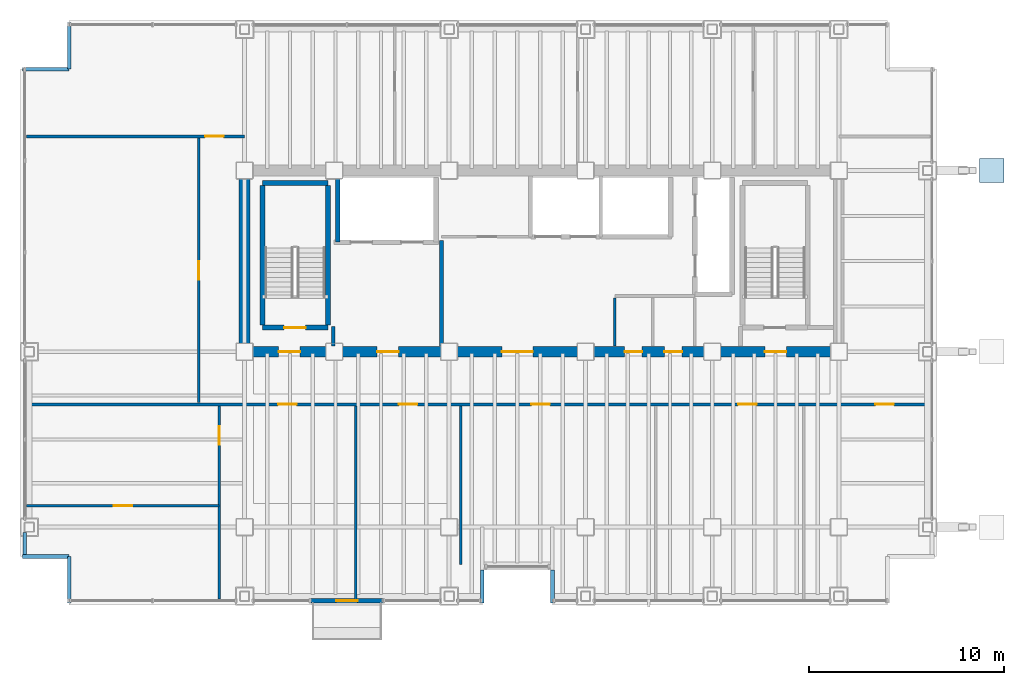
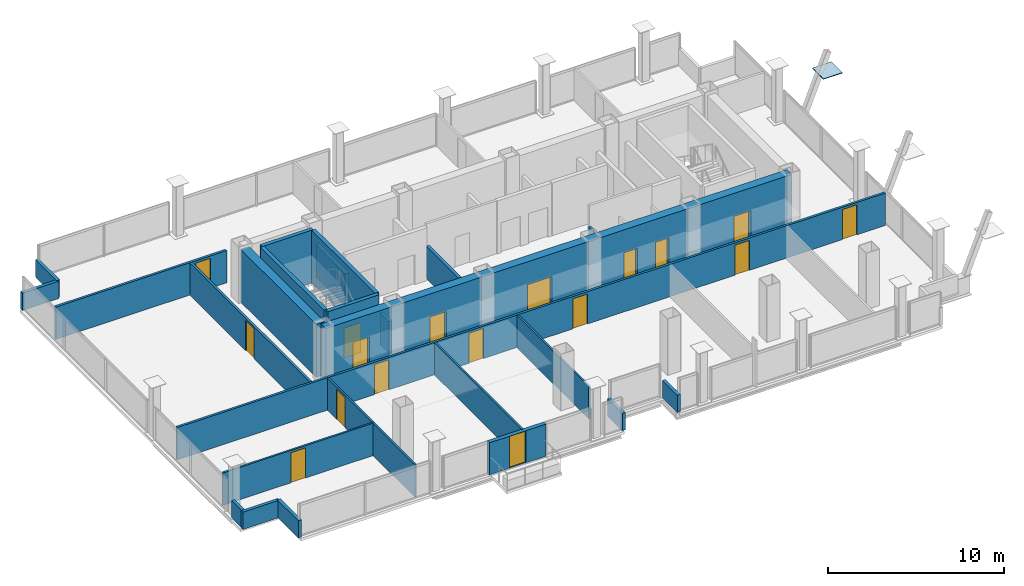
# One storey, part 16 of 19: 25 walls, 17 doors, 1 plate, 17 openings.
"""IFC4 building model written with IfcOpenShell, lengths in metres."""

from ifc_helpers import new_model, si_unit, direction, frame, frame_2d, origin, origin_2d, place, context, subcontext, project, spatial, rectangle, extrude, material, layer, layer_set, type_object, element, fill, save


model = new_model("IFC4")

# Units and contexts
model_context = context("Model", 3, precision=1e-05, world=origin(), true_north=direction((0.0, 1.0)))
body_context = subcontext(model_context, "Body", "Model", "MODEL_VIEW")
ifc_project = project(units=[si_unit("LENGTHUNIT", "METRE"), si_unit("AREAUNIT", "SQUARE_METRE"), si_unit("VOLUMEUNIT", "CUBIC_METRE"), si_unit("PLANEANGLEUNIT", "RADIAN"), si_unit("MASSUNIT", "GRAM", prefix="KILO")], contexts=[model_context])

# Site, building, storey
site_placement = place(None, origin())
site = spatial("IfcSite", under=ifc_project, at=site_placement, CompositionType="ELEMENT")
building_placement = place(site_placement, origin())
building = spatial("IfcBuilding", under=site, at=building_placement, Name="Noeulbin Bourse Tower", CompositionType="ELEMENT")
storey_placement = place(building_placement, frame((0.0, 0.0, 165.60009765625)))
storey = spatial("IfcBuildingStorey", under=building, at=storey_placement, Name="L41", CompositionType="ELEMENT", Elevation=165.60009765625)

# Plate
ifc_material_1 = material(Name="Steel S460", Category="steel")
ifc_layer_1 = layer(ifc_material_1, 0.0400390625)
ifc_layer_set_1 = layer_set([ifc_layer_1], Name="Steel S460")
plate_type = type_object("IfcPlateType", Name="PLT-KN1", PredefinedType="USERDEFINED", material=ifc_layer_set_1)
plate_placement = place(storey_placement, frame((51.85009765625, 38.300048828125, 2.259765625), z_axis=(0.0, 0.0, 1.0), x_axis=(1.0, 0.0, 0.0)))
element("IfcPlate", 1, at=plate_placement, inside=storey, type_object=plate_type, Name="Exoskeleton Kink Gusset KN1-03", ObjectType="GUSSET PLATE", PredefinedType="USERDEFINED", context=body_context, shape_type="SweptSolid", body=[
    extrude(rectangle(XDim=1.25, YDim=1.25, at=origin_2d()), origin(), (0.0, 0.0, 1.0), 0.0400390625),
])

# Wall, openings, doors
ifc_material_2 = material(Name="Concrete C60/75", Category="concrete")
ifc_layer_2 = layer(ifc_material_2, 0.550048828125)
ifc_layer_set_2 = layer_set([ifc_layer_2], Name="Concrete C60/75")
wall_type_1 = type_object("IfcWallType", Name="WAL-CORE-550", PredefinedType="SHEAR", material=ifc_layer_set_2)
wall_1_placement = place(storey_placement, frame((13.5, 29.0, 0.0), z_axis=(0.0, 0.0, 1.0), x_axis=(1.0, 0.0, 0.0)))
wall_1 = element("IfcWall", 2, at=wall_1_placement, inside=storey, type_object=wall_type_1, Name="Rear Core South Shear Wall L41", PredefinedType="SHEAR", context=body_context, shape_type="SweptSolid", body=[
    extrude(rectangle(XDim=30.5, YDim=0.550048828125, at=frame_2d((15.25, 0.0))), origin(), (0.0, 0.0, 1.0), 3.659912109375),
])
opening_1_placement = place(wall_1_placement, frame((1.75, 0.0, 0.0)))
opening_1 = element("IfcOpeningElement", 3, at=opening_1_placement, cuts=wall_1, Name="Opening FD-11", PredefinedType="OPENING", context=body_context, shape_type="SweptSolid", body=[
    extrude(rectangle(XDim=1.10009765625, YDim=2.080078125, at=frame_2d((0.550048828125, 1.0400390625))), frame((0.0, 0.284912109375, 0.0), z_axis=(0.0, -1.0, 0.0), x_axis=(1.0, 0.0, 0.0)), (0.0, 0.0, 1.0), 0.570068359375),
])
opening_2_placement = place(wall_1_placement, frame((26.699951171875, 0.0, 0.0)))
opening_2 = element("IfcOpeningElement", 4, at=opening_2_placement, cuts=wall_1, Name="Opening FD-11", PredefinedType="OPENING", context=body_context, shape_type="SweptSolid", body=[
    extrude(rectangle(XDim=1.10009765625, YDim=2.080078125, at=frame_2d((0.550048828125, 1.0400390625))), frame((0.0, 0.284912109375, 0.0), z_axis=(0.0, -1.0, 0.0), x_axis=(1.0, 0.0, 0.0)), (0.0, 0.0, 1.0), 0.570068359375),
])
opening_3_placement = place(wall_1_placement, frame((6.800048828125, 0.0, 0.0)))
opening_3 = element("IfcOpeningElement", 5, at=opening_3_placement, cuts=wall_1, Name="Opening FD-11", PredefinedType="OPENING", context=body_context, shape_type="SweptSolid", body=[
    extrude(rectangle(XDim=1.10009765625, YDim=2.080078125, at=frame_2d((0.550048828125, 1.0400390625))), frame((0.0, 0.284912109375, 0.0), z_axis=(0.0, -1.0, 0.0), x_axis=(1.0, 0.0, 0.0)), (0.0, 0.0, 1.0), 0.570068359375),
])
opening_4_placement = place(wall_1_placement, frame((13.199951171875, 0.0, 0.0)))
opening_4 = element("IfcOpeningElement", 6, at=opening_4_placement, cuts=wall_1, Name="Opening ID-16", PredefinedType="OPENING", context=body_context, shape_type="SweptSolid", body=[
    extrude(rectangle(XDim=1.60009765625, YDim=2.080078125, at=frame_2d((0.800048828125, 1.0400390625))), frame((0.0, 0.284912109375, 0.0), z_axis=(0.0, -1.0, 0.0), x_axis=(1.0, 0.0, 0.0)), (0.0, 0.0, 1.0), 0.570068359375),
])
opening_5_placement = place(wall_1_placement, frame((19.5, 0.0, 0.0)))
opening_5 = element("IfcOpeningElement", 7, at=opening_5_placement, cuts=wall_1, Name="Opening FD-09", PredefinedType="OPENING", context=body_context, shape_type="SweptSolid", body=[
    extrude(rectangle(XDim=0.89990234375, YDim=2.080078125, at=frame_2d((0.449951171875, 1.0400390625))), frame((0.0, 0.284912109375, 0.0), z_axis=(0.0, -1.0, 0.0), x_axis=(1.0, 0.0, 0.0)), (0.0, 0.0, 1.0), 0.570068359375),
])
opening_6_placement = place(wall_1_placement, frame((21.550048828125, 0.0, 0.0)))
opening_6 = element("IfcOpeningElement", 8, at=opening_6_placement, cuts=wall_1, Name="Opening FD-09", PredefinedType="OPENING", context=body_context, shape_type="SweptSolid", body=[
    extrude(rectangle(XDim=0.89990234375, YDim=2.080078125, at=frame_2d((0.449951171875, 1.0400390625))), frame((0.0, 0.284912109375, 0.0), z_axis=(0.0, -1.0, 0.0), x_axis=(1.0, 0.0, 0.0)), (0.0, 0.0, 1.0), 0.570068359375),
])
ifc_material_3 = material(Name="Acoustic Glazed Aluminium", Category="aluminium")
door_type_1 = type_object("IfcDoorType", Name="DR-DBL-1600", OperationType="DOUBLE_DOOR_SINGLE_SWING", PredefinedType="DOOR", material=ifc_material_3)
door_1_placement = place(opening_4_placement, origin())
door_1 = element("IfcDoor", 9, at=door_1_placement, inside=storey, type_object=door_type_1, Name="Passenger Lift Lobby Portal L41", OperationType="DOUBLE_DOOR_SINGLE_SWING", OverallHeight=2.080078125, OverallWidth=1.60009765625, PredefinedType="DOOR", context=body_context, shape_type="SweptSolid", body=[
    extrude(rectangle(XDim=1.60009765625, YDim=2.080078125, at=frame_2d((0.800048828125, 1.0400390625))), frame((0.0, 0.02490234375, 0.0), z_axis=(0.0, -1.0, 0.0), x_axis=(1.0, 0.0, 0.0)), (0.0, 0.0, 1.0), 0.050048828125),
])
fill(opening_4, door_1)
ifc_material_4 = material(Name="Fire-Rated Timber Core", Category="wood")
door_type_2 = type_object("IfcDoorType", Name="DR-FD30-900", OperationType="SINGLE_SWING_RIGHT", PredefinedType="DOOR", material=ifc_material_4)
door_2_placement = place(opening_5_placement, origin())
door_2 = element("IfcDoor", 10, at=door_2_placement, inside=storey, type_object=door_type_2, Name="Interior Door L41-06", OperationType="SINGLE_SWING_RIGHT", OverallHeight=2.080078125, OverallWidth=0.89990234375, PredefinedType="DOOR", context=body_context, shape_type="SweptSolid", body=[
    extrude(rectangle(XDim=0.89990234375, YDim=2.080078125, at=frame_2d((0.449951171875, 1.0400390625))), frame((0.0, 0.02490234375, 0.0), z_axis=(0.0, -1.0, 0.0), x_axis=(1.0, 0.0, 0.0)), (0.0, 0.0, 1.0), 0.050048828125),
])
fill(opening_5, door_2)
door_3_placement = place(opening_6_placement, origin())
door_3 = element("IfcDoor", 11, at=door_3_placement, inside=storey, type_object=door_type_2, Name="Interior Door L41-07", OperationType="SINGLE_SWING_LEFT", OverallHeight=2.080078125, OverallWidth=0.89990234375, PredefinedType="DOOR", context=body_context, shape_type="SweptSolid", body=[
    extrude(rectangle(XDim=0.89990234375, YDim=2.080078125, at=frame_2d((0.449951171875, 1.0400390625))), frame((0.0, 0.02490234375, 0.0), z_axis=(0.0, -1.0, 0.0), x_axis=(1.0, 0.0, 0.0)), (0.0, 0.0, 1.0), 0.050048828125),
])
fill(opening_6, door_3)
ifc_material_5 = material(Name="Fire-Rated Insulated Steel", Category="steel")
door_type_3 = type_object("IfcDoorType", Name="DR-FD60-1100", OperationType="SINGLE_SWING_LEFT", PredefinedType="DOOR", material=ifc_material_5)
door_4_placement = place(opening_1_placement, origin())
door_4 = element("IfcDoor", 12, at=door_4_placement, inside=storey, type_object=door_type_3, Name="West Stair Lobby Door L41", OperationType="SINGLE_SWING_LEFT", OverallHeight=2.080078125, OverallWidth=1.10009765625, PredefinedType="DOOR", context=body_context, shape_type="SweptSolid", body=[
    extrude(rectangle(XDim=1.10009765625, YDim=2.080078125, at=frame_2d((0.550048828125, 1.0400390625))), frame((0.0, 0.02490234375, 0.0), z_axis=(0.0, -1.0, 0.0), x_axis=(1.0, 0.0, 0.0)), (0.0, 0.0, 1.0), 0.050048828125),
])
fill(opening_1, door_4)
door_5_placement = place(opening_2_placement, origin())
door_5 = element("IfcDoor", 13, at=door_5_placement, inside=storey, type_object=door_type_3, Name="East Stair Lobby Door L41", OperationType="SINGLE_SWING_RIGHT", OverallHeight=2.080078125, OverallWidth=1.10009765625, PredefinedType="DOOR", context=body_context, shape_type="SweptSolid", body=[
    extrude(rectangle(XDim=1.10009765625, YDim=2.080078125, at=frame_2d((0.550048828125, 1.0400390625))), frame((0.0, 0.02490234375, 0.0), z_axis=(0.0, -1.0, 0.0), x_axis=(1.0, 0.0, 0.0)), (0.0, 0.0, 1.0), 0.050048828125),
])
fill(opening_2, door_5)
door_6_placement = place(opening_3_placement, origin())
door_6 = element("IfcDoor", 14, at=door_6_placement, inside=storey, type_object=door_type_3, Name="Firefighting Lobby Door L41", OperationType="SINGLE_SWING_LEFT", OverallHeight=2.080078125, OverallWidth=1.10009765625, PredefinedType="DOOR", context=body_context, shape_type="SweptSolid", body=[
    extrude(rectangle(XDim=1.10009765625, YDim=2.080078125, at=frame_2d((0.550048828125, 1.0400390625))), frame((0.0, 0.02490234375, 0.0), z_axis=(0.0, -1.0, 0.0), x_axis=(1.0, 0.0, 0.0)), (0.0, 0.0, 1.0), 0.050048828125),
])
fill(opening_3, door_6)

# Wall
wall_2_placement = place(storey_placement, frame((13.5, 29.35009765625, 0.0), z_axis=(0.0, 0.0, 1.0), x_axis=(0.0, 1.0, 0.0)))
element("IfcWall", 15, at=wall_2_placement, inside=storey, type_object=wall_type_1, Name="Rear Core West Shear Wall L41", PredefinedType="SHEAR", context=body_context, shape_type="SweptSolid", body=[
    extrude(rectangle(XDim=8.599853515625, YDim=0.550048828125, at=frame_2d((4.2998046875, 0.0))), origin(), (0.0, 0.0, 1.0), 3.659912109375),
])

# Wall, opening, door
ifc_material_6 = material(Name="Precast Concrete C40/50", Category="concrete")
ifc_layer_3 = layer(ifc_material_6, 0.25)
ifc_layer_set_3 = layer_set([ifc_layer_3], Name="Precast Concrete C40/50")
wall_type_2 = type_object("IfcWallType", Name="WAL-EXT-250", PredefinedType="STANDARD", material=ifc_layer_set_3)
wall_3_placement = place(storey_placement, frame((16.89990234375, 16.219970703125, 0.0), z_axis=(0.0, 0.0, 1.0), x_axis=(1.0, 0.0, 0.0)))
wall_3 = element("IfcWall", 16, at=wall_3_placement, inside=storey, type_object=wall_type_2, Name="Balcony Threshold Wall L41", PredefinedType="STANDARD", context=body_context, shape_type="SweptSolid", body=[
    extrude(rectangle(XDim=3.7001953125, YDim=0.25, at=frame_2d((1.85009765625, 0.0))), origin(), (0.0, 0.0, 1.0), 2.219970703125),
])
opening_7_placement = place(wall_3_placement, frame((1.300048828125, 0.0, 0.0)))
opening_7 = element("IfcOpeningElement", 17, at=opening_7_placement, cuts=wall_3, Name="Opening BD-11", PredefinedType="OPENING", context=body_context, shape_type="SweptSolid", body=[
    extrude(rectangle(XDim=1.10009765625, YDim=2.199951171875, at=frame_2d((0.550048828125, 1.10009765625))), frame((0.0, 0.135009765625, 0.0), z_axis=(0.0, -1.0, 0.0), x_axis=(1.0, 0.0, 0.0)), (0.0, 0.0, 1.0), 0.27001953125),
])
ifc_material_7 = material(Name="Thermally Broken Aluminium Framed Glass", Category="aluminium")
door_type_4 = type_object("IfcDoorType", Name="DR-BAL-1100", OperationType="SINGLE_SWING_LEFT", PredefinedType="DOOR", material=ifc_material_7)
door_7_placement = place(opening_7_placement, origin())
door_7 = element("IfcDoor", 18, at=door_7_placement, inside=storey, type_object=door_type_4, Name="Tree-Balcony Access Door BD-L41", OperationType="SINGLE_SWING_LEFT", OverallHeight=2.199951171875, OverallWidth=1.10009765625, PredefinedType="DOOR", context=body_context, shape_type="SweptSolid", body=[
    extrude(rectangle(XDim=1.10009765625, YDim=2.199951171875, at=frame_2d((0.550048828125, 1.10009765625))), frame((0.0, 0.02490234375, 0.0), z_axis=(0.0, -1.0, 0.0), x_axis=(1.0, 0.0, 0.0)), (0.0, 0.0, 1.0), 0.050048828125),
])
fill(opening_7, door_7)

# Walls
ifc_material_8 = material(Name="Concrete C40/50", Category="concrete")
ifc_layer_4 = layer(ifc_material_8, 0.199951171875)
ifc_layer_set_4 = layer_set([ifc_layer_4], Name="Concrete C40/50")
wall_type_3 = type_object("IfcWallType", Name="WAL-FIRE-200", PredefinedType="STANDARD", material=ifc_layer_set_4)
wall_4_placement = place(storey_placement, frame((18.050048828125, 29.284912109375, 0.0), z_axis=(0.0, 0.0, 1.0), x_axis=(0.0, 1.0, 0.0)))
element("IfcWall", 19, at=wall_4_placement, inside=storey, type_object=wall_type_3, Name="Interior Partition Wall L41-08", PredefinedType="STANDARD", context=body_context, shape_type="SweptSolid", body=[
    extrude(rectangle(XDim=1.01513671875, YDim=0.199951171875, at=frame_2d((0.507568359375, 0.0))), origin(), (0.0, 0.0, 1.0), 2.239990234375),
])
wall_5_placement = place(storey_placement, frame((23.60009765625, 29.284912109375, 0.0), z_axis=(0.0, 0.0, 1.0), x_axis=(0.0, 1.0, 0.0)))
element("IfcWall", 20, at=wall_5_placement, inside=storey, type_object=wall_type_3, Name="Interior Partition Wall L41-10", PredefinedType="STANDARD", context=body_context, shape_type="SweptSolid", body=[
    extrude(rectangle(XDim=5.4150390625, YDim=0.199951171875, at=frame_2d((2.70751953125, 0.0))), origin(), (0.0, 0.0, 1.0), 2.239990234375),
])
ifc_layer_5 = layer(ifc_material_8, 0.199951171875)
ifc_layer_set_5 = layer_set([ifc_layer_5], Name="Concrete C40/50")
wall_type_4 = type_object("IfcWallType", Name="WAL-PAR-200", PredefinedType="PARAPET", material=ifc_layer_set_5)
wall_6_placement = place(storey_placement, frame((2.219970703125, 18.60009765625, 0.0), z_axis=(0.0, 0.0, 1.0), x_axis=(0.0, 1.0, 0.0)))
element("IfcWall", 21, at=wall_6_placement, inside=storey, type_object=wall_type_4, Name="Perimeter Pier Spandrel Parapet L41-W1", PredefinedType="PARAPET", context=body_context, shape_type="SweptSolid", body=[
    extrude(rectangle(XDim=1.1298828125, YDim=0.199951171875, at=frame_2d((0.56494140625, 0.0))), origin(), (0.0, 0.0, 1.0), 1.199951171875),
])
for number, where, z_axis, x_axis, name in (
    (22, (2.10009765625, 18.5, 0.0), (0.0, 0.0, 1.0), (1.0, 0.0, 0.0), "Corner Notch Parapet L41-SW1"),
    (23, (4.5, 18.5, 0.0), (0.0, 0.0, 1.0), (0.0, -1.0, 0.0), "Corner Notch Parapet L41-SW2"),
    (24, (2.10009765625, 43.5, 0.0), (0.0, 0.0, 1.0), (1.0, 0.0, 0.0), "Corner Notch Parapet L41-NW1"),
    (25, (4.5, 43.5, 0.0), (0.0, 0.0, 1.0), (0.0, 1.0, 0.0), "Corner Notch Parapet L41-NW2"),
):
    element("IfcWall", number, at=place(storey_placement, frame(where, z_axis=z_axis, x_axis=x_axis)), inside=storey, type_object=wall_type_4, Name=name, PredefinedType="PARAPET", context=body_context, shape_type="SweptSolid", body=[
        extrude(rectangle(XDim=2.39990234375, YDim=0.199951171875, at=frame_2d((1.199951171875, 0.0))), origin(), (0.0, 0.0, 1.0), 1.199951171875),
    ])
for number, where, z_axis, x_axis, name in (
    (26, (25.699951171875, 16.10009765625, 0.0), (0.0, 0.0, 1.0), (0.0, 1.0, 0.0), "Sky-Garden Recess Parapet L41-W"),
    (27, (29.300048828125, 17.800048828125, 0.0), (0.0, 0.0, 1.0), (0.0, -1.0, 0.0), "Sky-Garden Recess Parapet L41-E"),
):
    element("IfcWall", number, at=place(storey_placement, frame(where, z_axis=z_axis, x_axis=x_axis)), inside=storey, type_object=wall_type_4, Name=name, PredefinedType="PARAPET", context=body_context, shape_type="SweptSolid", body=[
        extrude(rectangle(XDim=1.699951171875, YDim=0.199951171875, at=frame_2d((0.85009765625, 0.0))), origin(), (0.0, 0.0, 1.0), 1.199951171875),
    ])

# Wall, opening, door
ifc_material_9 = material(Name="Steel Stud Gypsum Partition", Category="steel")
ifc_layer_6 = layer(ifc_material_9, 0.1201171875)
ifc_layer_set_6 = layer_set([ifc_layer_6], Name="Steel Stud Gypsum Partition")
wall_type_5 = type_object("IfcWallType", Name="WAL-PRT-120", PredefinedType="PARTITIONING", material=ifc_layer_set_6)
wall_7_placement = place(storey_placement, frame((2.31005859375, 21.10009765625, 0.0), z_axis=(0.0, 0.0, 1.0), x_axis=(1.0, 0.0, 0.0)))
wall_7 = element("IfcWall", 28, at=wall_7_placement, inside=storey, type_object=wall_type_5, Name="Interior Partition Wall L41-05", PredefinedType="PARTITIONING", context=body_context, shape_type="SweptSolid", body=[
    extrude(rectangle(XDim=9.889892578125, YDim=0.1201171875, at=frame_2d((4.94482421875, 0.0))), origin(), (0.0, 0.0, 1.0), 2.239990234375),
])
opening_8_placement = place(wall_7_placement, frame((4.469970703125, 0.0, 0.0)))
opening_8 = element("IfcOpeningElement", 29, at=opening_8_placement, cuts=wall_7, Name="Opening ID-09", PredefinedType="OPENING", context=body_context, shape_type="SweptSolid", body=[
    extrude(rectangle(XDim=0.949951171875, YDim=2.080078125, at=frame_2d((0.47509765625, 1.0400390625))), frame((0.0, 0.070068359375, 0.0), z_axis=(0.0, -1.0, 0.0), x_axis=(1.0, 0.0, 0.0)), (0.0, 0.0, 1.0), 0.14013671875),
])
ifc_material_10 = material(Name="Acoustic Solid-Core Timber", Category="wood")
door_type_5 = type_object("IfcDoorType", Name="DR-SINGLE-950", OperationType="SINGLE_SWING_LEFT", PredefinedType="DOOR", material=ifc_material_10)
door_8_placement = place(opening_8_placement, origin())
door_8 = element("IfcDoor", 30, at=door_8_placement, inside=storey, type_object=door_type_5, Name="Interior Door L41-08", OperationType="SINGLE_SWING_RIGHT", OverallHeight=2.080078125, OverallWidth=0.949951171875, PredefinedType="DOOR", context=body_context, shape_type="SweptSolid", body=[
    extrude(rectangle(XDim=0.949951171875, YDim=2.080078125, at=frame_2d((0.47509765625, 1.0400390625))), frame((0.0, 0.02490234375, 0.0), z_axis=(0.0, -1.0, 0.0), x_axis=(1.0, 0.0, 0.0)), (0.0, 0.0, 1.0), 0.050048828125),
])
fill(opening_8, door_8)

wall_8_placement = place(storey_placement, frame((12.199951171875, 16.31005859375, 0.0), z_axis=(0.0, 0.0, 1.0), x_axis=(0.0, 1.0, 0.0)))
wall_8 = element("IfcWall", 31, at=wall_8_placement, inside=storey, type_object=wall_type_5, Name="Interior Partition Wall L41-15", PredefinedType="PARTITIONING", context=body_context, shape_type="SweptSolid", body=[
    extrude(rectangle(XDim=9.905029296875, YDim=0.1201171875, at=frame_2d((4.95263671875, 0.0))), origin(), (0.0, 0.0, 1.0), 2.239990234375),
])
opening_9_placement = place(wall_8_placement, frame((7.9150390625, 0.0, 0.0)))
opening_9 = element("IfcOpeningElement", 32, at=opening_9_placement, cuts=wall_8, Name="Opening ID-09", PredefinedType="OPENING", context=body_context, shape_type="SweptSolid", body=[
    extrude(rectangle(XDim=0.949951171875, YDim=2.080078125, at=frame_2d((0.47509765625, 1.0400390625))), frame((0.0, 0.070068359375, 0.0), z_axis=(0.0, -1.0, 0.0), x_axis=(1.0, 0.0, 0.0)), (0.0, 0.0, 1.0), 0.14013671875),
])
door_9_placement = place(opening_9_placement, origin())
door_9 = element("IfcDoor", 33, at=door_9_placement, inside=storey, type_object=door_type_5, Name="Interior Door L41-09", OperationType="SINGLE_SWING_LEFT", OverallHeight=2.080078125, OverallWidth=0.949951171875, PredefinedType="DOOR", context=body_context, shape_type="SweptSolid", body=[
    extrude(rectangle(XDim=0.949951171875, YDim=2.080078125, at=frame_2d((0.47509765625, 1.0400390625))), frame((0.0, 0.02490234375, 0.0), z_axis=(0.0, -1.0, 0.0), x_axis=(1.0, 0.0, 0.0)), (0.0, 0.0, 1.0), 0.050048828125),
])
fill(opening_9, door_9)

# Walls
wall_9_placement = place(storey_placement, frame((19.199951171875, 16.31005859375, 0.0), z_axis=(0.0, 0.0, 1.0), x_axis=(0.0, 1.0, 0.0)))
element("IfcWall", 34, at=wall_9_placement, inside=storey, type_object=wall_type_5, Name="Interior Partition Wall L41-16", PredefinedType="PARTITIONING", context=body_context, shape_type="SweptSolid", body=[
    extrude(rectangle(XDim=9.905029296875, YDim=0.1201171875, at=frame_2d((4.95263671875, 0.0))), origin(), (0.0, 0.0, 1.0), 2.239990234375),
])
wall_10_placement = place(storey_placement, frame((24.60009765625, 18.070068359375, 0.0), z_axis=(0.0, 0.0, 1.0), x_axis=(0.0, 1.0, 0.0)))
element("IfcWall", 35, at=wall_10_placement, inside=storey, type_object=wall_type_5, Name="Interior Partition Wall L41-17", PredefinedType="PARTITIONING", context=body_context, shape_type="SweptSolid", body=[
    extrude(rectangle(XDim=8.14501953125, YDim=0.1201171875, at=frame_2d((4.072509765625, 0.0))), origin(), (0.0, 0.0, 1.0), 2.239990234375),
])

# Wall, openings, doors
ifc_material_11 = material(Name="Steel Stud Acoustic Gypsum Board", Category="steel")
ifc_layer_7 = layer(ifc_material_11, 0.14990234375)
ifc_layer_set_7 = layer_set([ifc_layer_7], Name="Steel Stud Acoustic Gypsum Board")
wall_type_6 = type_object("IfcWallType", Name="WAL-PRT-150", PredefinedType="PARTITIONING", material=ifc_layer_set_7)
wall_11_placement = place(storey_placement, frame((2.31005859375, 26.300048828125, 0.0), z_axis=(0.0, 0.0, 1.0), x_axis=(1.0, 0.0, 0.0)))
wall_11 = element("IfcWall", 36, at=wall_11_placement, inside=storey, type_object=wall_type_6, Name="Interior Partition Wall L41-04", PredefinedType="PARTITIONING", context=body_context, shape_type="SweptSolid", body=[
    extrude(rectangle(XDim=46.3798828125, YDim=0.14990234375, at=frame_2d((23.18994140625, 0.0))), origin(), (0.0, 0.0, 1.0), 2.239990234375),
])
opening_10_placement = place(wall_11_placement, frame((12.9150390625, 0.0, 0.0)))
opening_10 = element("IfcOpeningElement", 37, at=opening_10_placement, cuts=wall_11, Name="Opening ID-09", PredefinedType="OPENING", context=body_context, shape_type="SweptSolid", body=[
    extrude(rectangle(XDim=0.949951171875, YDim=2.080078125, at=frame_2d((0.47509765625, 1.0400390625))), frame((0.0, 0.0849609375, 0.0), z_axis=(0.0, -1.0, 0.0), x_axis=(1.0, 0.0, 0.0)), (0.0, 0.0, 1.0), 0.169921875),
])
opening_11_placement = place(wall_11_placement, frame((19.114990234375, 0.0, 0.0)))
opening_11 = element("IfcOpeningElement", 38, at=opening_11_placement, cuts=wall_11, Name="Opening ID-09", PredefinedType="OPENING", context=body_context, shape_type="SweptSolid", body=[
    extrude(rectangle(XDim=0.949951171875, YDim=2.080078125, at=frame_2d((0.47509765625, 1.0400390625))), frame((0.0, 0.0849609375, 0.0), z_axis=(0.0, -1.0, 0.0), x_axis=(1.0, 0.0, 0.0)), (0.0, 0.0, 1.0), 0.169921875),
])
opening_12_placement = place(wall_11_placement, frame((25.9150390625, 0.0, 0.0)))
opening_12 = element("IfcOpeningElement", 39, at=opening_12_placement, cuts=wall_11, Name="Opening ID-09", PredefinedType="OPENING", context=body_context, shape_type="SweptSolid", body=[
    extrude(rectangle(XDim=0.949951171875, YDim=2.080078125, at=frame_2d((0.47509765625, 1.0400390625))), frame((0.0, 0.0849609375, 0.0), z_axis=(0.0, -1.0, 0.0), x_axis=(1.0, 0.0, 0.0)), (0.0, 0.0, 1.0), 0.169921875),
])
opening_13_placement = place(wall_11_placement, frame((36.514892578125, 0.0, 0.0)))
opening_13 = element("IfcOpeningElement", 40, at=opening_13_placement, cuts=wall_11, Name="Opening ID-09", PredefinedType="OPENING", context=body_context, shape_type="SweptSolid", body=[
    extrude(rectangle(XDim=0.949951171875, YDim=2.080078125, at=frame_2d((0.47509765625, 1.0400390625))), frame((0.0, 0.0849609375, 0.0), z_axis=(0.0, -1.0, 0.0), x_axis=(1.0, 0.0, 0.0)), (0.0, 0.0, 1.0), 0.169921875),
])
opening_14_placement = place(wall_11_placement, frame((43.56005859375, 0.0, 0.0)))
opening_14 = element("IfcOpeningElement", 41, at=opening_14_placement, cuts=wall_11, Name="Opening ID-09", PredefinedType="OPENING", context=body_context, shape_type="SweptSolid", body=[
    extrude(rectangle(XDim=0.949951171875, YDim=2.080078125, at=frame_2d((0.47509765625, 1.0400390625))), frame((0.0, 0.0849609375, 0.0), z_axis=(0.0, -1.0, 0.0), x_axis=(1.0, 0.0, 0.0)), (0.0, 0.0, 1.0), 0.169921875),
])
door_10_placement = place(opening_10_placement, origin())
door_10 = element("IfcDoor", 42, at=door_10_placement, inside=storey, type_object=door_type_5, Name="Interior Door L41-10", OperationType="SINGLE_SWING_RIGHT", OverallHeight=2.080078125, OverallWidth=0.949951171875, PredefinedType="DOOR", context=body_context, shape_type="SweptSolid", body=[
    extrude(rectangle(XDim=0.949951171875, YDim=2.080078125, at=frame_2d((0.47509765625, 1.0400390625))), frame((0.0, 0.02490234375, 0.0), z_axis=(0.0, -1.0, 0.0), x_axis=(1.0, 0.0, 0.0)), (0.0, 0.0, 1.0), 0.050048828125),
])
fill(opening_10, door_10)
door_11_placement = place(opening_11_placement, origin())
door_11 = element("IfcDoor", 43, at=door_11_placement, inside=storey, type_object=door_type_5, Name="Interior Door L41-11", OperationType="SINGLE_SWING_LEFT", OverallHeight=2.080078125, OverallWidth=0.949951171875, PredefinedType="DOOR", context=body_context, shape_type="SweptSolid", body=[
    extrude(rectangle(XDim=0.949951171875, YDim=2.080078125, at=frame_2d((0.47509765625, 1.0400390625))), frame((0.0, 0.02490234375, 0.0), z_axis=(0.0, -1.0, 0.0), x_axis=(1.0, 0.0, 0.0)), (0.0, 0.0, 1.0), 0.050048828125),
])
fill(opening_11, door_11)
door_12_placement = place(opening_12_placement, origin())
door_12 = element("IfcDoor", 44, at=door_12_placement, inside=storey, type_object=door_type_5, Name="Interior Door L41-12", OperationType="SINGLE_SWING_RIGHT", OverallHeight=2.080078125, OverallWidth=0.949951171875, PredefinedType="DOOR", context=body_context, shape_type="SweptSolid", body=[
    extrude(rectangle(XDim=0.949951171875, YDim=2.080078125, at=frame_2d((0.47509765625, 1.0400390625))), frame((0.0, 0.02490234375, 0.0), z_axis=(0.0, -1.0, 0.0), x_axis=(1.0, 0.0, 0.0)), (0.0, 0.0, 1.0), 0.050048828125),
])
fill(opening_12, door_12)
door_13_placement = place(opening_13_placement, origin())
door_13 = element("IfcDoor", 45, at=door_13_placement, inside=storey, type_object=door_type_5, Name="Interior Door L41-13", OperationType="SINGLE_SWING_LEFT", OverallHeight=2.080078125, OverallWidth=0.949951171875, PredefinedType="DOOR", context=body_context, shape_type="SweptSolid", body=[
    extrude(rectangle(XDim=0.949951171875, YDim=2.080078125, at=frame_2d((0.47509765625, 1.0400390625))), frame((0.0, 0.02490234375, 0.0), z_axis=(0.0, -1.0, 0.0), x_axis=(1.0, 0.0, 0.0)), (0.0, 0.0, 1.0), 0.050048828125),
])
fill(opening_13, door_13)
door_14_placement = place(opening_14_placement, origin())
door_14 = element("IfcDoor", 46, at=door_14_placement, inside=storey, type_object=door_type_5, Name="Interior Door L41-14", OperationType="SINGLE_SWING_RIGHT", OverallHeight=2.080078125, OverallWidth=0.949951171875, PredefinedType="DOOR", context=body_context, shape_type="SweptSolid", body=[
    extrude(rectangle(XDim=0.949951171875, YDim=2.080078125, at=frame_2d((0.47509765625, 1.0400390625))), frame((0.0, 0.02490234375, 0.0), z_axis=(0.0, -1.0, 0.0), x_axis=(1.0, 0.0, 0.0)), (0.0, 0.0, 1.0), 0.050048828125),
])
fill(opening_14, door_14)

# Wall, opening, door
wall_12_placement = place(storey_placement, frame((2.31005859375, 40.050048828125, 0.0), z_axis=(0.0, 0.0, 1.0), x_axis=(1.0, 0.0, 0.0)))
wall_12 = element("IfcWall", 47, at=wall_12_placement, inside=storey, type_object=wall_type_6, Name="Interior Partition Wall L41-06", PredefinedType="PARTITIONING", context=body_context, shape_type="SweptSolid", body=[
    extrude(rectangle(XDim=11.18994140625, YDim=0.14990234375, at=frame_2d((5.594970703125, 0.0))), origin(), (0.0, 0.0, 1.0), 2.239990234375),
])
opening_15_placement = place(wall_12_placement, frame((9.1650390625, 0.0, 0.0)))
opening_15 = element("IfcOpeningElement", 48, at=opening_15_placement, cuts=wall_12, Name="Opening ID-09", PredefinedType="OPENING", context=body_context, shape_type="SweptSolid", body=[
    extrude(rectangle(XDim=0.949951171875, YDim=2.080078125, at=frame_2d((0.47509765625, 1.0400390625))), frame((0.0, 0.0849609375, 0.0), z_axis=(0.0, -1.0, 0.0), x_axis=(1.0, 0.0, 0.0)), (0.0, 0.0, 1.0), 0.169921875),
])
door_15_placement = place(opening_15_placement, origin())
door_15 = element("IfcDoor", 49, at=door_15_placement, inside=storey, type_object=door_type_5, Name="Interior Door L41-16", OperationType="SINGLE_SWING_RIGHT", OverallHeight=2.080078125, OverallWidth=0.949951171875, PredefinedType="DOOR", context=body_context, shape_type="SweptSolid", body=[
    extrude(rectangle(XDim=0.949951171875, YDim=2.080078125, at=frame_2d((0.47509765625, 1.0400390625))), frame((0.0, 0.02490234375, 0.0), z_axis=(0.0, -1.0, 0.0), x_axis=(1.0, 0.0, 0.0)), (0.0, 0.0, 1.0), 0.050048828125),
])
fill(opening_15, door_15)

# Wall
wall_13_placement = place(storey_placement, frame((32.5, 29.284912109375, 0.0), z_axis=(0.0, 0.0, 1.0), x_axis=(0.0, 1.0, 0.0)))
element("IfcWall", 50, at=wall_13_placement, inside=storey, type_object=wall_type_6, Name="Interior Partition Wall L41-11", PredefinedType="PARTITIONING", context=body_context, shape_type="SweptSolid", body=[
    extrude(rectangle(XDim=2.47998046875, YDim=0.14990234375, at=frame_2d((1.239990234375, 0.0))), origin(), (0.0, 0.0, 1.0), 2.239990234375),
])

# Wall, opening, door
wall_14_placement = place(storey_placement, frame((11.14990234375, 26.385009765625, 0.0), z_axis=(0.0, 0.0, 1.0), x_axis=(0.0, 1.0, 0.0)))
wall_14 = element("IfcWall", 51, at=wall_14_placement, inside=storey, type_object=wall_type_6, Name="Interior Partition Wall L41-14", PredefinedType="PARTITIONING", context=body_context, shape_type="SweptSolid", body=[
    extrude(rectangle(XDim=13.580078125, YDim=0.14990234375, at=frame_2d((6.7900390625, 0.0))), origin(), (0.0, 0.0, 1.0), 2.239990234375),
])
opening_16_placement = place(wall_14_placement, frame((6.31494140625, 0.0, 0.0)))
opening_16 = element("IfcOpeningElement", 52, at=opening_16_placement, cuts=wall_14, Name="Opening ID-09", PredefinedType="OPENING", context=body_context, shape_type="SweptSolid", body=[
    extrude(rectangle(XDim=0.949951171875, YDim=2.080078125, at=frame_2d((0.47509765625, 1.0400390625))), frame((0.0, 0.0849609375, 0.0), z_axis=(0.0, -1.0, 0.0), x_axis=(1.0, 0.0, 0.0)), (0.0, 0.0, 1.0), 0.169921875),
])
door_16_placement = place(opening_16_placement, origin())
door_16 = element("IfcDoor", 53, at=door_16_placement, inside=storey, type_object=door_type_5, Name="Interior Door L41-15", OperationType="SINGLE_SWING_LEFT", OverallHeight=2.080078125, OverallWidth=0.949951171875, PredefinedType="DOOR", context=body_context, shape_type="SweptSolid", body=[
    extrude(rectangle(XDim=0.949951171875, YDim=2.080078125, at=frame_2d((0.47509765625, 1.0400390625))), frame((0.0, 0.02490234375, 0.0), z_axis=(0.0, -1.0, 0.0), x_axis=(1.0, 0.0, 0.0)), (0.0, 0.0, 1.0), 0.050048828125),
])
fill(opening_16, door_16)

ifc_layer_8 = layer(ifc_material_8, 0.25)
ifc_layer_set_8 = layer_set([ifc_layer_8], Name="Concrete C40/50")
wall_type_7 = type_object("IfcWallType", Name="WAL-SHFT-250", PredefinedType="STANDARD", material=ifc_layer_set_8)
wall_15_placement = place(storey_placement, frame((14.429931640625, 30.235107421875, 0.0), z_axis=(0.0, 0.0, 1.0), x_axis=(1.0, 0.0, 0.0)))
wall_15 = element("IfcWall", 54, at=wall_15_placement, inside=storey, type_object=wall_type_7, Name="Stair ST-1 South Shaft Wall L41", PredefinedType="STANDARD", context=body_context, shape_type="SweptSolid", body=[
    extrude(rectangle(XDim=3.340087890625, YDim=0.25, at=frame_2d((1.669921875, 0.0))), origin(), (0.0, 0.0, 1.0), 3.659912109375),
])
opening_17_placement = place(wall_15_placement, frame((1.10009765625, 0.0, 0.0)))
opening_17 = element("IfcOpeningElement", 55, at=opening_17_placement, cuts=wall_15, Name="Opening FD-11", PredefinedType="OPENING", context=body_context, shape_type="SweptSolid", body=[
    extrude(rectangle(XDim=1.10009765625, YDim=2.080078125, at=frame_2d((0.550048828125, 1.0400390625))), frame((0.0, 0.135009765625, 0.0), z_axis=(0.0, -1.0, 0.0), x_axis=(1.0, 0.0, 0.0)), (0.0, 0.0, 1.0), 0.27001953125),
])
door_17_placement = place(opening_17_placement, origin())
door_17 = element("IfcDoor", 56, at=door_17_placement, inside=storey, type_object=door_type_3, Name="Protected Stair Entry Door ST1-L41", OperationType="SINGLE_SWING_LEFT", OverallHeight=2.080078125, OverallWidth=1.10009765625, PredefinedType="DOOR", context=body_context, shape_type="SweptSolid", body=[
    extrude(rectangle(XDim=1.10009765625, YDim=2.080078125, at=frame_2d((0.550048828125, 1.0400390625))), frame((0.0, 0.02490234375, 0.0), z_axis=(0.0, -1.0, 0.0), x_axis=(1.0, 0.0, 0.0)), (0.0, 0.0, 1.0), 0.050048828125),
])
fill(opening_17, door_17)

# Walls
wall_16_placement = place(storey_placement, frame((14.429931640625, 37.6689453125, 0.0), z_axis=(0.0, 0.0, 1.0), x_axis=(1.0, 0.0, 0.0)))
element("IfcWall", 57, at=wall_16_placement, inside=storey, type_object=wall_type_7, Name="Stair ST-1 North Shaft Wall L41", PredefinedType="STANDARD", context=body_context, shape_type="SweptSolid", body=[
    extrude(rectangle(XDim=3.340087890625, YDim=0.25, at=frame_2d((1.669921875, 0.0))), origin(), (0.0, 0.0, 1.0), 3.659912109375),
])
for number, where, z_axis, x_axis, name in (
    (58, (14.425048828125, 30.360107421875, 0.0), (0.0, 0.0, 1.0), (0.0, 1.0, 0.0), "Stair ST-1 West Shaft Wall L41"),
    (59, (17.77490234375, 30.360107421875, 0.0), (0.0, 0.0, 1.0), (0.0, 1.0, 0.0), "Stair ST-1 East Shaft Wall L41"),
):
    element("IfcWall", number, at=place(storey_placement, frame(where, z_axis=z_axis, x_axis=x_axis)), inside=storey, type_object=wall_type_7, Name=name, PredefinedType="STANDARD", context=body_context, shape_type="SweptSolid", body=[
        extrude(rectangle(XDim=7.183837890625, YDim=0.25, at=frame_2d((3.591796875, 0.0))), origin(), (0.0, 0.0, 1.0), 3.659912109375),
    ])
wall_17_placement = place(storey_placement, frame((18.280029296875, 34.6201171875, 0.0), z_axis=(0.0, 0.0, 1.0), x_axis=(0.0, 1.0, 0.0)))
element("IfcWall", 60, at=wall_17_placement, inside=storey, type_object=wall_type_7, Name="Firefighting Lift West Shaft Wall L41", PredefinedType="STANDARD", context=body_context, shape_type="SweptSolid", body=[
    extrude(rectangle(XDim=3.329833984375, YDim=0.25, at=frame_2d((1.6650390625, 0.0))), origin(), (0.0, 0.0, 1.0), 2.239990234375),
])

save(model, "model.ifc")
